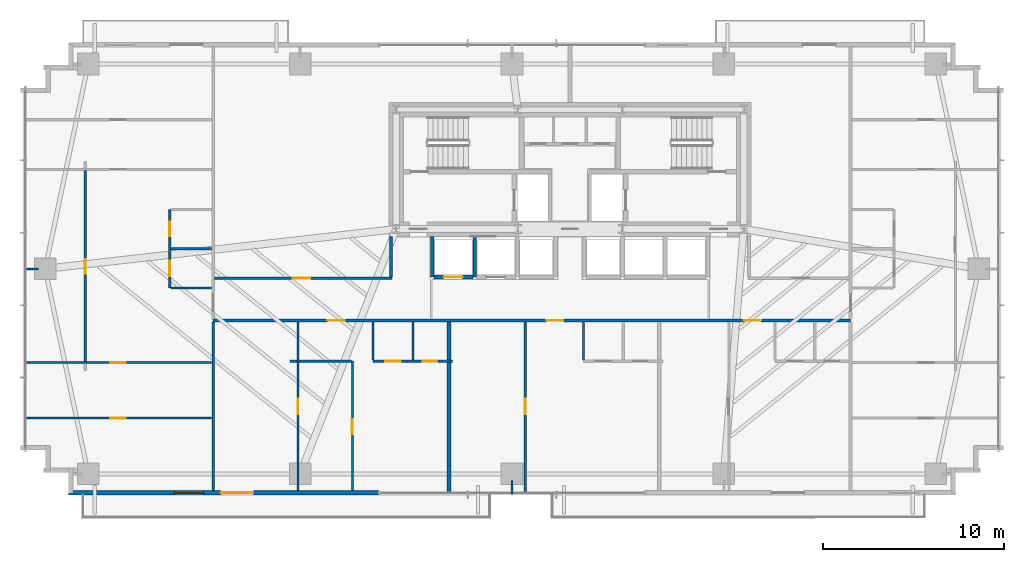
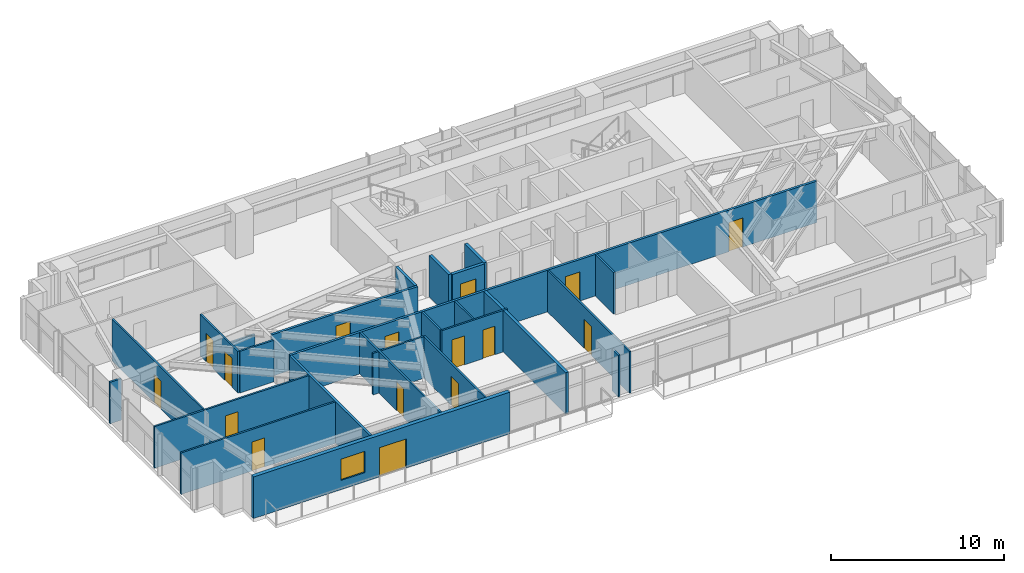
# One storey, part 19 of 25: 27 walls, 16 doors, 1 window, 17 openings.
"""IFC4 building model written with IfcOpenShell, lengths in metres."""

from ifc_helpers import new_model, si_unit, direction, frame, frame_2d, origin, place, context, subcontext, project, spatial, rectangle, extrude, source, transform, mapped, material, layer, layer_set, type_object, type_shapes, element, fill, save


model = new_model("IFC4")

# Units and contexts
model_context = context("Model", 3, precision=1e-05, world=origin(), true_north=direction((0.0, 1.0)))
body_context = subcontext(model_context, "Body", "Model", "MODEL_VIEW")
ifc_project = project(units=[si_unit("LENGTHUNIT", "METRE"), si_unit("AREAUNIT", "SQUARE_METRE"), si_unit("VOLUMEUNIT", "CUBIC_METRE"), si_unit("PLANEANGLEUNIT", "RADIAN"), si_unit("MASSUNIT", "GRAM", prefix="KILO")], contexts=[model_context])

# Site, building, storey
site_placement = place(None, origin())
site = spatial("IfcSite", under=ifc_project, at=site_placement, CompositionType="ELEMENT")
building_placement = place(site_placement, origin())
building = spatial("IfcBuilding", under=site, at=building_placement, Name="Astriad Promenade Condominiums", CompositionType="ELEMENT")
storey_placement = place(building_placement, frame((0.0, 0.0, 55.0)))
storey = spatial("IfcBuildingStorey", under=building, at=storey_placement, Name="L15", CompositionType="ELEMENT", Elevation=55.0)

# Wall, openings, doors
ifc_material_1 = material(Name="Fire-Rated Gypsum Partition")
ifc_layer_1 = layer(ifc_material_1, 0.159912109375)
ifc_layer_set_1 = layer_set([ifc_layer_1], Name="Fire-Rated Gypsum Partition")
wall_type_1 = type_object("IfcWallType", Name="WALL-CORR-160", PredefinedType="PARTITIONING", material=ifc_layer_set_1)
wall_1_placement = place(storey_placement, frame((16.300048828125, 12.35009765625, 0.0), z_axis=(0.0, 0.0, 1.0), x_axis=(1.0, 0.0, 0.0)))
wall_1 = element("IfcWall", 1, at=wall_1_placement, inside=storey, type_object=wall_type_1, Name="PT-COR-S-L15", PredefinedType="PARTITIONING", context=body_context, shape_type="SweptSolid", body=[
    extrude(rectangle(XDim=35.199951171875, YDim=0.159912109375, at=frame_2d((17.60009765625, 0.0))), origin(), (0.0, 0.0, 1.0), 2.93994140625),
])
opening_1_placement = place(wall_1_placement, frame((6.306884765625, 0.0, 0.0)))
opening_1 = element("IfcOpeningElement", 2, at=opening_1_placement, cuts=wall_1, Name="Opening FD60-APT-095", PredefinedType="OPENING", context=body_context, shape_type="SweptSolid", body=[
    extrude(rectangle(XDim=0.949951171875, YDim=2.06005859375, at=frame_2d((0.47509765625, 1.030029296875))), frame((0.0, 0.08984375, 0.0), z_axis=(0.0, -1.0, 0.0), x_axis=(1.0, 0.0, 0.0)), (0.0, 0.0, 1.0), 0.179931640625),
])
opening_2_placement = place(wall_1_placement, frame((18.39208984375, 0.0, 0.0)))
opening_2 = element("IfcOpeningElement", 3, at=opening_2_placement, cuts=wall_1, Name="Opening FD60-APT-095", PredefinedType="OPENING", context=body_context, shape_type="SweptSolid", body=[
    extrude(rectangle(XDim=0.949951171875, YDim=2.06005859375, at=frame_2d((0.47509765625, 1.030029296875))), frame((0.0, 0.08984375, 0.0), z_axis=(0.0, -1.0, 0.0), x_axis=(1.0, 0.0, 0.0)), (0.0, 0.0, 1.0), 0.179931640625),
])
opening_3_placement = place(wall_1_placement, frame((29.303955078125, 0.0, 0.0)))
opening_3 = element("IfcOpeningElement", 4, at=opening_3_placement, cuts=wall_1, Name="Opening FD60-APT-095", PredefinedType="OPENING", context=body_context, shape_type="SweptSolid", body=[
    extrude(rectangle(XDim=0.949951171875, YDim=2.06005859375, at=frame_2d((0.47509765625, 1.030029296875))), frame((0.0, 0.08984375, 0.0), z_axis=(0.0, -1.0, 0.0), x_axis=(1.0, 0.0, 0.0)), (0.0, 0.0, 1.0), 0.179931640625),
])
ifc_material_2 = material(Name="Solid-Core Acoustic Timber Residence Entry Door", Category="wood")
door_type_1 = type_object("IfcDoorType", Name="FD60-APT-095", OperationType="NOTDEFINED", PredefinedType="DOOR", material=ifc_material_2)
shared_shape_1 = source(origin(), body_context, "Body", "SweptSolid", [
    extrude(rectangle(XDim=0.949951171875, YDim=2.06005859375, at=frame_2d((0.47509765625, 1.030029296875))), frame((0.0, 0.02490234375, 0.0), z_axis=(0.0, -1.0, 0.0), x_axis=(1.0, 0.0, 0.0)), (0.0, 0.0, 1.0), 0.050048828125),
])
type_shapes(door_type_1, [shared_shape_1])
door_1_placement = place(opening_1_placement, origin())
door_1 = element("IfcDoor", 5, at=door_1_placement, inside=storey, type_object=door_type_1, Name="D-ENT-L15-S1", OperationType="SINGLE_SWING_RIGHT", OverallHeight=2.06005859375, OverallWidth=0.949951171875, PredefinedType="DOOR", context=body_context, shape_type="MappedRepresentation", body=[
    mapped(shared_shape_1, transform((0.0, 0.0, 0.0), scale=1.0)),
])
fill(opening_1, door_1)
door_2_placement = place(opening_2_placement, origin())
door_2 = element("IfcDoor", 6, at=door_2_placement, inside=storey, type_object=door_type_1, Name="D-ENT-L15-S2", OperationType="SINGLE_SWING_RIGHT", OverallHeight=2.06005859375, OverallWidth=0.949951171875, PredefinedType="DOOR", context=body_context, shape_type="MappedRepresentation", body=[
    mapped(shared_shape_1, transform((0.0, 0.0, 0.0), scale=1.0)),
])
fill(opening_2, door_2)
door_3_placement = place(opening_3_placement, origin())
door_3 = element("IfcDoor", 7, at=door_3_placement, inside=storey, type_object=door_type_1, Name="D-ENT-L15-S3", OperationType="SINGLE_SWING_RIGHT", OverallHeight=2.06005859375, OverallWidth=0.949951171875, PredefinedType="DOOR", context=body_context, shape_type="MappedRepresentation", body=[
    mapped(shared_shape_1, transform((0.0, 0.0, 0.0), scale=1.0)),
])
fill(opening_3, door_3)

# Wall
wall_2_placement = place(storey_placement, frame((16.300048828125, 2.9619140625, 0.0), z_axis=(0.0, 0.0, 1.0), x_axis=(0.0, 1.0, 0.0)))
element("IfcWall", 8, at=wall_2_placement, inside=storey, type_object=wall_type_1, Name="PT-COR-W-L15", PredefinedType="PARTITIONING", context=body_context, shape_type="SweptSolid", body=[
    extrude(rectangle(XDim=9.30615234375, YDim=0.159912109375, at=frame_2d((4.653076171875, 0.0))), origin(), (0.0, 0.0, 1.0), 2.93994140625),
])

# Wall, opening, door
wall_3_placement = place(storey_placement, frame((16.382080078125, 14.679931640625, 0.0), z_axis=(0.0, 0.0, 1.0), x_axis=(1.0, 0.0, 0.0)))
wall_3 = element("IfcWall", 9, at=wall_3_placement, inside=storey, type_object=wall_type_1, Name="PT-FLK-NW-L15", PredefinedType="PARTITIONING", context=body_context, shape_type="SweptSolid", body=[
    extrude(rectangle(XDim=9.77783203125, YDim=0.159912109375, at=frame_2d((4.888916015625, 0.0))), origin(), (0.0, 0.0, 1.0), 2.93994140625),
])
opening_4_placement = place(wall_3_placement, frame((4.31298828125, 0.0, 0.0)))
opening_4 = element("IfcOpeningElement", 10, at=opening_4_placement, cuts=wall_3, Name="Opening FD60-APT-095", PredefinedType="OPENING", context=body_context, shape_type="SweptSolid", body=[
    extrude(rectangle(XDim=0.949951171875, YDim=2.06005859375, at=frame_2d((0.47509765625, 1.030029296875))), frame((0.0, 0.08984375, 0.0), z_axis=(0.0, -1.0, 0.0), x_axis=(1.0, 0.0, 0.0)), (0.0, 0.0, 1.0), 0.179931640625),
])
door_4_placement = place(opening_4_placement, origin())
door_4 = element("IfcDoor", 11, at=door_4_placement, inside=storey, type_object=door_type_1, Name="D-NWA-L15", OperationType="SINGLE_SWING_LEFT", OverallHeight=2.06005859375, OverallWidth=0.949951171875, PredefinedType="DOOR", context=body_context, shape_type="MappedRepresentation", body=[
    mapped(shared_shape_1, transform((0.0, 0.0, 0.0), scale=1.0)),
])
fill(opening_4, door_4)

# Walls
wall_4_placement = place(storey_placement, frame((26.1201171875, 14.761962890625, 0.0), z_axis=(0.0, 0.0, 1.0), x_axis=(0.0, 1.0, 0.0)))
element("IfcWall", 12, at=wall_4_placement, inside=storey, type_object=wall_type_1, Name="PT-WSPUR-W-L15", PredefinedType="PARTITIONING", context=body_context, shape_type="SweptSolid", body=[
    extrude(rectangle(XDim=2.236083984375, YDim=0.159912109375, at=frame_2d((1.1181640625, 0.0))), origin(), (0.0, 0.0, 1.0), 2.93994140625),
])
ifc_material_3 = material(Name="Acoustic Double-Stud Gypsum Partition")
ifc_layer_2 = layer(ifc_material_3, 0.199951171875)
ifc_layer_set_2 = layer_set([ifc_layer_2], Name="Acoustic Double-Stud Gypsum Partition")
wall_type_2 = type_object("IfcWallType", Name="WALL-DEMISING-200", PredefinedType="PARTITIONING", material=ifc_layer_set_2)
wall_5_placement = place(storey_placement, frame((29.323974609375, 2.780029296875, 0.0), z_axis=(0.0, 0.0, 1.0), x_axis=(0.0, 1.0, 0.0)))
element("IfcWall", 13, at=wall_5_placement, inside=storey, type_object=wall_type_2, Name="PT-DEM-S1-L15", PredefinedType="PARTITIONING", context=body_context, shape_type="SweptSolid", body=[
    extrude(rectangle(XDim=7.258056640625, YDim=0.199951171875, at=frame_2d((3.62890625, 0.0))), origin(), (0.0, 0.0, 1.0), 2.93994140625),
])
wall_6_placement = place(storey_placement, frame((29.323974609375, 10.162109375, 0.0), z_axis=(0.0, 0.0, 1.0), x_axis=(0.0, 1.0, 0.0)))
element("IfcWall", 14, at=wall_6_placement, inside=storey, type_object=wall_type_2, Name="PT-DEM-S1-L15-S2", PredefinedType="PARTITIONING", context=body_context, shape_type="SweptSolid", body=[
    extrude(rectangle(XDim=2.10595703125, YDim=0.199951171875, at=frame_2d((1.052978515625, 0.0))), origin(), (0.0, 0.0, 1.0), 2.93994140625),
])

# Wall, openings, door, window
ifc_material_4 = material(Name="Precast concrete C50/60", Category="concrete")
ifc_layer_3 = layer(ifc_material_4, 0.260009765625)
ifc_layer_set_3 = layer_set([ifc_layer_3], Name="Precast concrete C50/60")
wall_type_3 = type_object("IfcWallType", Name="WALL-EXT-TWR-260", PredefinedType="STANDARD", material=ifc_layer_set_3)
wall_7_placement = place(storey_placement, frame((25.449951171875, 2.830078125, 0.0), z_axis=(0.0, 0.0, 1.0), x_axis=(-1.0, 0.0, 0.0)))
wall_7 = element("IfcWall", 15, at=wall_7_placement, inside=storey, type_object=wall_type_3, Name="W-EXT-L15-S2", PredefinedType="STANDARD", context=body_context, shape_type="SweptSolid", body=[
    extrude(rectangle(XDim=17.14990234375, YDim=0.260009765625, at=frame_2d((8.574951171875, 0.0))), origin(), (0.0, 0.0, 1.0), 2.93994140625),
])
opening_5_placement = place(wall_7_placement, frame((6.929931640625, 0.0, 0.0)))
opening_5 = element("IfcOpeningElement", 16, at=opening_5_placement, cuts=wall_7, Name="Opening BD-1822-SLD", PredefinedType="OPENING", context=body_context, shape_type="SweptSolid", body=[
    extrude(rectangle(XDim=1.800048828125, YDim=2.06005859375, at=frame_2d((0.89990234375, 1.030029296875))), frame((0.0, 0.139892578125, 0.0), z_axis=(0.0, -1.0, 0.0), x_axis=(1.0, 0.0, 0.0)), (0.0, 0.0, 1.0), 0.280029296875),
])
opening_6_placement = place(wall_7_placement, frame((9.699951171875, 0.0, 0.64990234375)))
opening_6 = element("IfcOpeningElement", 17, at=opening_6_placement, cuts=wall_7, Name="Opening WIN-TWR-1620", PredefinedType="OPENING", context=body_context, shape_type="SweptSolid", body=[
    extrude(rectangle(XDim=1.60009765625, YDim=1.5, at=frame_2d((0.800048828125, 0.75))), frame((0.0, 0.139892578125, 0.0), z_axis=(0.0, -1.0, 0.0), x_axis=(1.0, 0.0, 0.0)), (0.0, 0.0, 1.0), 0.280029296875),
])
ifc_material_5 = material(Name="Thermally Broken Aluminium Sliding Balcony Door", Category="aluminium")
door_type_2 = type_object("IfcDoorType", Name="BD-1822-SLD", OperationType="NOTDEFINED", PredefinedType="DOOR", material=ifc_material_5)
shared_shape_2 = source(origin(), body_context, "Body", "SweptSolid", [
    extrude(rectangle(XDim=1.800048828125, YDim=2.06005859375, at=frame_2d((0.89990234375, 1.030029296875))), frame((0.0, 0.02490234375, 0.0), z_axis=(0.0, -1.0, 0.0), x_axis=(1.0, 0.0, 0.0)), (0.0, 0.0, 1.0), 0.050048828125),
])
type_shapes(door_type_2, [shared_shape_2])
door_5_placement = place(opening_5_placement, origin())
door_5 = element("IfcDoor", 18, at=door_5_placement, inside=storey, type_object=door_type_2, Name="BD-L15-SW", OperationType="SLIDING_TO_LEFT", OverallHeight=2.06005859375, OverallWidth=1.800048828125, PredefinedType="DOOR", context=body_context, shape_type="MappedRepresentation", body=[
    mapped(shared_shape_2, transform((0.0, 0.0, 0.0), scale=1.0)),
])
fill(opening_5, door_5)
ifc_material_6 = material(Name="Dark Tinted Triple-Glazed Aluminium Window", Category="aluminium")
window_type = type_object("IfcWindowType", Name="WIN-TWR-1620", PartitioningType="SINGLE_PANEL", PredefinedType="WINDOW", material=ifc_material_6)
shared_shape_3 = source(origin(), body_context, "Body", "SweptSolid", [
    extrude(rectangle(XDim=1.60009765625, YDim=1.5, at=frame_2d((0.800048828125, 0.75))), frame((0.0, 0.030029296875, 0.0), z_axis=(0.0, -1.0, 0.0), x_axis=(1.0, 0.0, 0.0)), (0.0, 0.0, 1.0), 0.06005859375),
])
type_shapes(window_type, [shared_shape_3])
window_placement = place(opening_6_placement, origin())
window = element("IfcWindow", 19, at=window_placement, inside=storey, type_object=window_type, Name="WIN-L15-SW", OverallHeight=1.5, OverallWidth=1.60009765625, PartitioningType="SINGLE_PANEL", PredefinedType="WINDOW", context=body_context, shape_type="MappedRepresentation", body=[
    mapped(shared_shape_3, transform((0.0, 0.0, 0.0), scale=1.0)),
])
fill(opening_6, window)

# Wall, openings, doors
ifc_material_7 = material(Name="Acoustic Metal-Stud Gypsum Partition")
ifc_layer_4 = layer(ifc_material_7, 0.1201171875)
ifc_layer_set_4 = layer_set([ifc_layer_4], Name="Acoustic Metal-Stud Gypsum Partition")
wall_type_4 = type_object("IfcWallType", Name="WALL-PART-120", PredefinedType="PARTITIONING", material=ifc_layer_set_4)
wall_8_placement = place(storey_placement, frame((25.1240234375, 10.10009765625, 0.0), z_axis=(0.0, 0.0, 1.0), x_axis=(1.0, 0.0, 0.0)))
wall_8 = element("IfcWall", 20, at=wall_8_placement, inside=storey, type_object=wall_type_4, Name="PT-L15-S1-PS", PredefinedType="PARTITIONING", context=body_context, shape_type="SweptSolid", body=[
    extrude(rectangle(XDim=4.39990234375, YDim=0.1201171875, at=frame_2d((2.199951171875, 0.0))), origin(), (0.0, 0.0, 1.0), 2.93994140625),
])
opening_7_placement = place(wall_8_placement, frame((0.675048828125, 0.0, 0.0)))
opening_7 = element("IfcOpeningElement", 21, at=opening_7_placement, cuts=wall_8, Name="Opening D-INT-085", PredefinedType="OPENING", context=body_context, shape_type="SweptSolid", body=[
    extrude(rectangle(XDim=0.85009765625, YDim=2.050048828125, at=frame_2d((0.425048828125, 1.02490234375))), frame((0.0, 0.070068359375, 0.0), z_axis=(0.0, -1.0, 0.0), x_axis=(1.0, 0.0, 0.0)), (0.0, 0.0, 1.0), 0.14013671875),
])
opening_8_placement = place(wall_8_placement, frame((2.75, 0.0, 0.0)))
opening_8 = element("IfcOpeningElement", 22, at=opening_8_placement, cuts=wall_8, Name="Opening D-WET-080", PredefinedType="OPENING", context=body_context, shape_type="SweptSolid", body=[
    extrude(rectangle(XDim=0.800048828125, YDim=2.02001953125, at=frame_2d((0.39990234375, 1.010009765625))), frame((0.0, 0.070068359375, 0.0), z_axis=(0.0, -1.0, 0.0), x_axis=(1.0, 0.0, 0.0)), (0.0, 0.0, 1.0), 0.14013671875),
])
ifc_material_8 = material(Name="Moisture-Resistant Timber Bathroom Door", Category="wood")
door_type_3 = type_object("IfcDoorType", Name="D-WET-080", OperationType="NOTDEFINED", PredefinedType="DOOR", material=ifc_material_8)
shared_shape_4 = source(origin(), body_context, "Body", "SweptSolid", [
    extrude(rectangle(XDim=0.800048828125, YDim=2.02001953125, at=frame_2d((0.39990234375, 1.010009765625))), frame((0.0, 0.02490234375, 0.0), z_axis=(0.0, -1.0, 0.0), x_axis=(1.0, 0.0, 0.0)), (0.0, 0.0, 1.0), 0.050048828125),
])
type_shapes(door_type_3, [shared_shape_4])
door_6_placement = place(opening_8_placement, origin())
door_6 = element("IfcDoor", 23, at=door_6_placement, inside=storey, type_object=door_type_3, Name="D-BTH-L15-S1", OperationType="SINGLE_SWING_RIGHT", OverallHeight=2.02001953125, OverallWidth=0.800048828125, PredefinedType="DOOR", context=body_context, shape_type="MappedRepresentation", body=[
    mapped(shared_shape_4, transform((0.0, 0.0, 0.0), scale=1.0)),
])
fill(opening_8, door_6)
ifc_material_9 = material(Name="Painted Solid-Core Timber Room Door", Category="wood")
door_type_4 = type_object("IfcDoorType", Name="D-INT-085", OperationType="NOTDEFINED", PredefinedType="DOOR", material=ifc_material_9)
shared_shape_5 = source(origin(), body_context, "Body", "SweptSolid", [
    extrude(rectangle(XDim=0.85009765625, YDim=2.050048828125, at=frame_2d((0.425048828125, 1.02490234375))), frame((0.0, 0.02490234375, 0.0), z_axis=(0.0, -1.0, 0.0), x_axis=(1.0, 0.0, 0.0)), (0.0, 0.0, 1.0), 0.050048828125),
])
type_shapes(door_type_4, [shared_shape_5])
door_7_placement = place(opening_7_placement, origin())
door_7 = element("IfcDoor", 24, at=door_7_placement, inside=storey, type_object=door_type_4, Name="D-KIT-L15-S1", OperationType="SINGLE_SWING_LEFT", OverallHeight=2.050048828125, OverallWidth=0.85009765625, PredefinedType="DOOR", context=body_context, shape_type="MappedRepresentation", body=[
    mapped(shared_shape_5, transform((0.0, 0.0, 0.0), scale=1.0)),
])
fill(opening_7, door_7)

# Walls
for number, where, z_axis, x_axis, name in (
    (25, (25.1240234375, 10.162109375, 0.0), (0.0, 0.0, 1.0), (0.0, 1.0, 0.0), "PT-L15-S1-PK"),
    (26, (27.323974609375, 10.162109375, 0.0), (0.0, 0.0, 1.0), (0.0, 1.0, 0.0), "PT-L15-S1-PB"),
):
    element("IfcWall", number, at=place(storey_placement, frame(where, z_axis=z_axis, x_axis=x_axis)), inside=storey, type_object=wall_type_4, Name=name, PredefinedType="PARTITIONING", context=body_context, shape_type="SweptSolid", body=[
        extrude(rectangle(XDim=2.10595703125, YDim=0.1201171875, at=frame_2d((1.052978515625, 0.0))), origin(), (0.0, 0.0, 1.0), 2.93994140625),
    ])

# Wall, opening, door
wall_9_placement = place(storey_placement, frame((20.97998046875, 2.9619140625, 0.0), z_axis=(0.0, 0.0, 1.0), x_axis=(0.0, 1.0, 0.0)))
wall_9 = element("IfcWall", 27, at=wall_9_placement, inside=storey, type_object=wall_type_4, Name="PT-L15-S1-CAP1", PredefinedType="PARTITIONING", context=body_context, shape_type="SweptSolid", body=[
    extrude(rectangle(XDim=9.30615234375, YDim=0.1201171875, at=frame_2d((4.653076171875, 0.0))), origin(), (0.0, 0.0, 1.0), 2.93994140625),
])
opening_9_placement = place(wall_9_placement, frame((4.218017578125, 0.0, 0.0)))
opening_9 = element("IfcOpeningElement", 28, at=opening_9_placement, cuts=wall_9, Name="Opening D-INT-085", PredefinedType="OPENING", context=body_context, shape_type="SweptSolid", body=[
    extrude(rectangle(XDim=0.85009765625, YDim=2.050048828125, at=frame_2d((0.425048828125, 1.02490234375))), frame((0.0, 0.070068359375, 0.0), z_axis=(0.0, -1.0, 0.0), x_axis=(1.0, 0.0, 0.0)), (0.0, 0.0, 1.0), 0.14013671875),
])
door_8_placement = place(opening_9_placement, origin())
door_8 = element("IfcDoor", 29, at=door_8_placement, inside=storey, type_object=door_type_4, Name="D-CAP1-L15-S1", OperationType="SINGLE_SWING_RIGHT", OverallHeight=2.050048828125, OverallWidth=0.85009765625, PredefinedType="DOOR", context=body_context, shape_type="MappedRepresentation", body=[
    mapped(shared_shape_5, transform((0.0, 0.0, 0.0), scale=1.0)),
])
fill(opening_9, door_8)

wall_10_placement = place(storey_placement, frame((23.986083984375, 2.9619140625, 0.0), z_axis=(0.0, 0.0, 1.0), x_axis=(0.0, 1.0, 0.0)))
wall_10 = element("IfcWall", 30, at=wall_10_placement, inside=storey, type_object=wall_type_4, Name="PT-L15-S1-CAP2", PredefinedType="PARTITIONING", context=body_context, shape_type="SweptSolid", body=[
    extrude(rectangle(XDim=7.13818359375, YDim=0.1201171875, at=frame_2d((3.569091796875, 0.0))), origin(), (0.0, 0.0, 1.0), 2.93994140625),
])
opening_10_placement = place(wall_10_placement, frame((3.093017578125, 0.0, 0.0)))
opening_10 = element("IfcOpeningElement", 31, at=opening_10_placement, cuts=wall_10, Name="Opening D-INT-085", PredefinedType="OPENING", context=body_context, shape_type="SweptSolid", body=[
    extrude(rectangle(XDim=0.85009765625, YDim=2.050048828125, at=frame_2d((0.425048828125, 1.02490234375))), frame((0.0, 0.070068359375, 0.0), z_axis=(0.0, -1.0, 0.0), x_axis=(1.0, 0.0, 0.0)), (0.0, 0.0, 1.0), 0.14013671875),
])
door_9_placement = place(opening_10_placement, origin())
door_9 = element("IfcDoor", 32, at=door_9_placement, inside=storey, type_object=door_type_4, Name="D-CAP2-L15-S1", OperationType="SINGLE_SWING_LEFT", OverallHeight=2.050048828125, OverallWidth=0.85009765625, PredefinedType="DOOR", context=body_context, shape_type="MappedRepresentation", body=[
    mapped(shared_shape_5, transform((0.0, 0.0, 0.0), scale=1.0)),
])
fill(opening_10, door_9)

# Walls
wall_11_placement = place(storey_placement, frame((20.5400390625, 10.10009765625, 0.0), z_axis=(0.0, 0.0, 1.0), x_axis=(1.0, 0.0, 0.0)))
element("IfcWall", 33, at=wall_11_placement, inside=storey, type_object=wall_type_4, Name="PT-L15-S1-CAP2H", PredefinedType="PARTITIONING", context=body_context, shape_type="SweptSolid", body=[
    extrude(rectangle(XDim=0.3779296875, YDim=0.1201171875, at=frame_2d((0.18896484375, 0.0))), origin(), (0.0, 0.0, 1.0), 2.93994140625),
])
wall_12_placement = place(storey_placement, frame((21.0419921875, 10.10009765625, 0.0), z_axis=(0.0, 0.0, 1.0), x_axis=(1.0, 0.0, 0.0)))
element("IfcWall", 34, at=wall_12_placement, inside=storey, type_object=wall_type_4, Name="PT-L15-S1-CAP2H-S2", PredefinedType="PARTITIONING", context=body_context, shape_type="SweptSolid", body=[
    extrude(rectangle(XDim=2.882080078125, YDim=0.1201171875, at=frame_2d((1.44091796875, 0.0))), origin(), (0.0, 0.0, 1.0), 2.93994140625),
])
wall_13_placement = place(storey_placement, frame((36.739990234375, 10.162109375, 0.0), z_axis=(0.0, 0.0, 1.0), x_axis=(0.0, 1.0, 0.0)))
element("IfcWall", 35, at=wall_13_placement, inside=storey, type_object=wall_type_4, Name="PT-L15-S2-PK", PredefinedType="PARTITIONING", context=body_context, shape_type="SweptSolid", body=[
    extrude(rectangle(XDim=2.10595703125, YDim=0.1201171875, at=frame_2d((1.052978515625, 0.0))), origin(), (0.0, 0.0, 1.0), 2.93994140625),
])

# Wall, opening, door
wall_14_placement = place(storey_placement, frame((33.533935546875, 2.780029296875, 0.0), z_axis=(0.0, 0.0, 1.0), x_axis=(0.0, 1.0, 0.0)))
wall_14 = element("IfcWall", 36, at=wall_14_placement, inside=storey, type_object=wall_type_4, Name="PT-L15-S2-CAP1", PredefinedType="PARTITIONING", context=body_context, shape_type="SweptSolid", body=[
    extrude(rectangle(XDim=9.488037109375, YDim=0.1201171875, at=frame_2d((4.744140625, 0.0))), origin(), (0.0, 0.0, 1.0), 2.93994140625),
])
opening_11_placement = place(wall_14_placement, frame((4.39990234375, 0.0, 0.0)))
opening_11 = element("IfcOpeningElement", 37, at=opening_11_placement, cuts=wall_14, Name="Opening D-INT-085", PredefinedType="OPENING", context=body_context, shape_type="SweptSolid", body=[
    extrude(rectangle(XDim=0.85009765625, YDim=2.050048828125, at=frame_2d((0.425048828125, 1.02490234375))), frame((0.0, 0.070068359375, 0.0), z_axis=(0.0, -1.0, 0.0), x_axis=(1.0, 0.0, 0.0)), (0.0, 0.0, 1.0), 0.14013671875),
])
door_10_placement = place(opening_11_placement, origin())
door_10 = element("IfcDoor", 38, at=door_10_placement, inside=storey, type_object=door_type_4, Name="D-CAP1-L15-S2", OperationType="SINGLE_SWING_LEFT", OverallHeight=2.050048828125, OverallWidth=0.85009765625, PredefinedType="DOOR", context=body_context, shape_type="MappedRepresentation", body=[
    mapped(shared_shape_5, transform((0.0, 0.0, 0.0), scale=1.0)),
])
fill(opening_11, door_10)

# Wall, openings, doors
wall_15_placement = place(storey_placement, frame((13.89990234375, 14.135986328125, 0.0), z_axis=(0.0, 0.0, 1.0), x_axis=(0.0, 1.0, 0.0)))
wall_15 = element("IfcWall", 39, at=wall_15_placement, inside=storey, type_object=wall_type_4, Name="PT-L15-W1-PV", PredefinedType="PARTITIONING", context=body_context, shape_type="SweptSolid", body=[
    extrude(rectangle(XDim=4.35009765625, YDim=0.1201171875, at=frame_2d((2.175048828125, 0.0))), origin(), (0.0, 0.0, 1.0), 2.93994140625),
])
opening_12_placement = place(wall_15_placement, frame((0.662109375, 0.0, 0.0)))
opening_12 = element("IfcOpeningElement", 40, at=opening_12_placement, cuts=wall_15, Name="Opening D-INT-085", PredefinedType="OPENING", context=body_context, shape_type="SweptSolid", body=[
    extrude(rectangle(XDim=0.85009765625, YDim=2.050048828125, at=frame_2d((0.425048828125, 1.02490234375))), frame((0.0, 0.070068359375, 0.0), z_axis=(0.0, -1.0, 0.0), x_axis=(1.0, 0.0, 0.0)), (0.0, 0.0, 1.0), 0.14013671875),
])
opening_13_placement = place(wall_15_placement, frame((2.862060546875, 0.0, 0.0)))
opening_13 = element("IfcOpeningElement", 41, at=opening_13_placement, cuts=wall_15, Name="Opening D-WET-080", PredefinedType="OPENING", context=body_context, shape_type="SweptSolid", body=[
    extrude(rectangle(XDim=0.800048828125, YDim=2.02001953125, at=frame_2d((0.39990234375, 1.010009765625))), frame((0.0, 0.070068359375, 0.0), z_axis=(0.0, -1.0, 0.0), x_axis=(1.0, 0.0, 0.0)), (0.0, 0.0, 1.0), 0.14013671875),
])
door_11_placement = place(opening_13_placement, origin())
door_11 = element("IfcDoor", 42, at=door_11_placement, inside=storey, type_object=door_type_3, Name="D-BTH-L15-W1", OperationType="SINGLE_SWING_LEFT", OverallHeight=2.02001953125, OverallWidth=0.800048828125, PredefinedType="DOOR", context=body_context, shape_type="MappedRepresentation", body=[
    mapped(shared_shape_4, transform((0.0, 0.0, 0.0), scale=1.0)),
])
fill(opening_13, door_11)
door_12_placement = place(opening_12_placement, origin())
door_12 = element("IfcDoor", 43, at=door_12_placement, inside=storey, type_object=door_type_4, Name="D-KIT-L15-W1", OperationType="SINGLE_SWING_RIGHT", OverallHeight=2.050048828125, OverallWidth=0.85009765625, PredefinedType="DOOR", context=body_context, shape_type="MappedRepresentation", body=[
    mapped(shared_shape_5, transform((0.0, 0.0, 0.0), scale=1.0)),
])
fill(opening_12, door_12)

# Walls
wall_16_placement = place(storey_placement, frame((13.9619140625, 16.31103515625, 0.0), z_axis=(0.0, 0.0, 1.0), x_axis=(1.0, 0.0, 0.0)))
element("IfcWall", 44, at=wall_16_placement, inside=storey, type_object=wall_type_4, Name="PT-L15-W1-PM", PredefinedType="PARTITIONING", context=body_context, shape_type="SweptSolid", body=[
    extrude(rectangle(XDim=2.256103515625, YDim=0.1201171875, at=frame_2d((1.1279296875, 0.0))), origin(), (0.0, 0.0, 1.0), 2.044921875),
])
wall_17_placement = place(storey_placement, frame((13.9619140625, 14.135986328125, 0.0), z_axis=(0.0, 0.0, 1.0), x_axis=(1.0, 0.0, 0.0)))
element("IfcWall", 45, at=wall_17_placement, inside=storey, type_object=wall_type_4, Name="PT-L15-W1-PS", PredefinedType="PARTITIONING", context=body_context, shape_type="SweptSolid", body=[
    extrude(rectangle(XDim=2.256103515625, YDim=0.1201171875, at=frame_2d((1.1279296875, 0.0))), origin(), (0.0, 0.0, 1.0), 2.93994140625),
])

# Wall, opening, door
wall_18_placement = place(storey_placement, frame((5.8798828125, 6.9599609375, 0.0), z_axis=(0.0, 0.0, 1.0), x_axis=(1.0, 0.0, 0.0)))
wall_18 = element("IfcWall", 46, at=wall_18_placement, inside=storey, type_object=wall_type_4, Name="PT-L15-W1-WDS1", PredefinedType="PARTITIONING", context=body_context, shape_type="SweptSolid", body=[
    extrude(rectangle(XDim=10.338134765625, YDim=0.1201171875, at=frame_2d((5.1689453125, 0.0))), origin(), (0.0, 0.0, 1.0), 2.93994140625),
])
opening_14_placement = place(wall_18_placement, frame((4.735107421875, 0.0, 0.0)))
opening_14 = element("IfcOpeningElement", 47, at=opening_14_placement, cuts=wall_18, Name="Opening D-INT-085", PredefinedType="OPENING", context=body_context, shape_type="SweptSolid", body=[
    extrude(rectangle(XDim=0.85009765625, YDim=2.050048828125, at=frame_2d((0.425048828125, 1.02490234375))), frame((0.0, 0.070068359375, 0.0), z_axis=(0.0, -1.0, 0.0), x_axis=(1.0, 0.0, 0.0)), (0.0, 0.0, 1.0), 0.14013671875),
])
door_13_placement = place(opening_14_placement, origin())
door_13 = element("IfcDoor", 48, at=door_13_placement, inside=storey, type_object=door_type_4, Name="D-WDS1-L15-W1", OperationType="SINGLE_SWING_RIGHT", OverallHeight=2.050048828125, OverallWidth=0.85009765625, PredefinedType="DOOR", context=body_context, shape_type="MappedRepresentation", body=[
    mapped(shared_shape_5, transform((0.0, 0.0, 0.0), scale=1.0)),
])
fill(opening_14, door_13)

wall_19_placement = place(storey_placement, frame((5.8798828125, 10.02587890625, 0.0), z_axis=(0.0, 0.0, 1.0), x_axis=(1.0, 0.0, 0.0)))
wall_19 = element("IfcWall", 49, at=wall_19_placement, inside=storey, type_object=wall_type_4, Name="PT-L15-W1-WDS3", PredefinedType="PARTITIONING", context=body_context, shape_type="SweptSolid", body=[
    extrude(rectangle(XDim=10.338134765625, YDim=0.1201171875, at=frame_2d((5.1689453125, 0.0))), origin(), (0.0, 0.0, 1.0), 2.93994140625),
])
opening_15_placement = place(wall_19_placement, frame((4.735107421875, 0.0, 0.0)))
opening_15 = element("IfcOpeningElement", 50, at=opening_15_placement, cuts=wall_19, Name="Opening D-INT-085", PredefinedType="OPENING", context=body_context, shape_type="SweptSolid", body=[
    extrude(rectangle(XDim=0.85009765625, YDim=2.050048828125, at=frame_2d((0.425048828125, 1.02490234375))), frame((0.0, 0.070068359375, 0.0), z_axis=(0.0, -1.0, 0.0), x_axis=(1.0, 0.0, 0.0)), (0.0, 0.0, 1.0), 0.14013671875),
])
door_14_placement = place(opening_15_placement, origin())
door_14 = element("IfcDoor", 51, at=door_14_placement, inside=storey, type_object=door_type_4, Name="D-WDS3-L15-W1", OperationType="SINGLE_SWING_RIGHT", OverallHeight=2.050048828125, OverallWidth=0.85009765625, PredefinedType="DOOR", context=body_context, shape_type="MappedRepresentation", body=[
    mapped(shared_shape_5, transform((0.0, 0.0, 0.0), scale=1.0)),
])
fill(opening_15, door_14)

wall_20_placement = place(storey_placement, frame((9.237060546875, 10.087890625, 0.0), z_axis=(0.0, 0.0, 1.0), x_axis=(0.0, 1.0, 0.0)))
wall_20 = element("IfcWall", 52, at=wall_20_placement, inside=storey, type_object=wall_type_4, Name="PT-L15-W1-WDV5-S2", PredefinedType="PARTITIONING", context=body_context, shape_type="SweptSolid", body=[
    extrude(rectangle(XDim=10.5380859375, YDim=0.1201171875, at=frame_2d((5.26904296875, 0.0))), origin(), (0.0, 0.0, 1.0), 2.93994140625),
])
opening_16_placement = place(wall_20_placement, frame((4.843994140625, 0.0, 0.0)))
opening_16 = element("IfcOpeningElement", 53, at=opening_16_placement, cuts=wall_20, Name="Opening D-ULOW-080", PredefinedType="OPENING", context=body_context, shape_type="SweptSolid", body=[
    extrude(rectangle(XDim=0.800048828125, YDim=2.0, at=frame_2d((0.39990234375, 1.0))), frame((0.0, 0.070068359375, 0.0), z_axis=(0.0, -1.0, 0.0), x_axis=(1.0, 0.0, 0.0)), (0.0, 0.0, 1.0), 0.14013671875),
])
ifc_material_10 = material(Name="Painted Timber Low-Headroom Door", Category="wood")
door_type_5 = type_object("IfcDoorType", Name="D-ULOW-080", OperationType="NOTDEFINED", PredefinedType="DOOR", material=ifc_material_10)
shared_shape_6 = source(origin(), body_context, "Body", "SweptSolid", [
    extrude(rectangle(XDim=0.800048828125, YDim=2.0, at=frame_2d((0.39990234375, 1.0))), frame((0.0, 0.02490234375, 0.0), z_axis=(0.0, -1.0, 0.0), x_axis=(1.0, 0.0, 0.0)), (0.0, 0.0, 1.0), 0.050048828125),
])
type_shapes(door_type_5, [shared_shape_6])
door_15_placement = place(opening_16_placement, origin())
door_15 = element("IfcDoor", 54, at=door_15_placement, inside=storey, type_object=door_type_5, Name="D-WDV5-L15-W1", OperationType="SINGLE_SWING_RIGHT", OverallHeight=2.0, OverallWidth=0.800048828125, PredefinedType="DOOR", context=body_context, shape_type="MappedRepresentation", body=[
    mapped(shared_shape_6, transform((0.0, 0.0, 0.0), scale=1.0)),
])
fill(opening_16, door_15)

# Walls
wall_21_placement = place(storey_placement, frame((32.800048828125, 3.5, 0.0), z_axis=(0.0, 0.0, 1.0), x_axis=(0.0, -1.0, 0.0)))
element("IfcWall", 55, at=wall_21_placement, inside=storey, type_object=wall_type_4, Name="PT-PIL-L15-PC03-10", PredefinedType="PARTITIONING", context=body_context, shape_type="SweptSolid", body=[
    extrude(rectangle(XDim=0.719970703125, YDim=0.1201171875, at=frame_2d((0.35986328125, 0.0))), origin(), (0.0, 0.0, 1.0), 2.93994140625),
])
wall_22_placement = place(storey_placement, frame((6.639892578125, 15.199951171875, 0.0), z_axis=(0.0, 0.0, 1.0), x_axis=(-1.0, 0.0, 0.0)))
element("IfcWall", 56, at=wall_22_placement, inside=storey, type_object=wall_type_4, Name="PT-PIL-L15-PC11-18", PredefinedType="PARTITIONING", context=body_context, shape_type="SweptSolid", body=[
    extrude(rectangle(XDim=0.760009765625, YDim=0.1201171875, at=frame_2d((0.3798828125, 0.0))), origin(), (0.0, 0.0, 1.0), 2.93994140625),
])
ifc_material_11 = material(Name="Gypsum Shaftliner Assembly")
ifc_layer_5 = layer(ifc_material_11, 0.199951171875)
ifc_layer_set_5 = layer_set([ifc_layer_5], Name="Gypsum Shaftliner Assembly")
wall_type_5 = type_object("IfcWallType", Name="WALL-SHAFT-200", PredefinedType="PARTITIONING", material=ifc_layer_set_5)
for number, where, z_axis, x_axis, name in (
    (57, (28.39990234375, 14.75, 0.0), (0.0, 0.0, 1.0), (0.0, 1.0, 0.0), "PL-W-OUT-L15"),
    (58, (30.75, 14.75, 0.0), (0.0, 0.0, 1.0), (0.0, 1.0, 0.0), "PL-L-DIV-L15"),
):
    element("IfcWall", number, at=place(storey_placement, frame(where, z_axis=z_axis, x_axis=x_axis)), inside=storey, type_object=wall_type_5, Name=name, PredefinedType="PARTITIONING", context=body_context, shape_type="SweptSolid", body=[
        extrude(rectangle(XDim=2.248046875, YDim=0.199951171875, at=frame_2d((1.1240234375, 0.0))), origin(), (0.0, 0.0, 1.0), 2.93994140625),
    ])

# Wall, opening, door
wall_23_placement = place(storey_placement, frame((28.501953125, 14.75, 0.0), z_axis=(0.0, 0.0, 1.0), x_axis=(1.0, 0.0, 0.0)))
wall_23 = element("IfcWall", 59, at=wall_23_placement, inside=storey, type_object=wall_type_5, Name="PL-L-FRT-L15", PredefinedType="PARTITIONING", context=body_context, shape_type="SweptSolid", body=[
    extrude(rectangle(XDim=2.14599609375, YDim=0.199951171875, at=frame_2d((1.072998046875, 0.0))), origin(), (0.0, 0.0, 1.0), 2.93994140625),
])
opening_17_placement = place(wall_23_placement, frame((0.52294921875, 0.0, 0.0)))
opening_17 = element("IfcOpeningElement", 60, at=opening_17_placement, cuts=wall_23, Name="Opening LD-PL-10522", PredefinedType="OPENING", context=body_context, shape_type="SweptSolid", body=[
    extrude(rectangle(XDim=1.050048828125, YDim=2.080078125, at=frame_2d((0.52490234375, 1.0400390625))), frame((0.0, 0.10986328125, 0.0), z_axis=(0.0, -1.0, 0.0), x_axis=(1.0, 0.0, 0.0)), (0.0, 0.0, 1.0), 0.219970703125),
])
ifc_material_12 = material(Name="Brushed Bronze Passenger Elevator Landing Door")
door_type_6 = type_object("IfcDoorType", Name="LD-PL-10522", OperationType="NOTDEFINED", PredefinedType="DOOR", material=ifc_material_12)
shared_shape_7 = source(origin(), body_context, "Body", "SweptSolid", [
    extrude(rectangle(XDim=1.050048828125, YDim=2.080078125, at=frame_2d((0.52490234375, 1.0400390625))), frame((0.0, 0.02490234375, 0.0), z_axis=(0.0, -1.0, 0.0), x_axis=(1.0, 0.0, 0.0)), (0.0, 0.0, 1.0), 0.050048828125),
])
type_shapes(door_type_6, [shared_shape_7])
door_16_placement = place(opening_17_placement, origin())
door_16 = element("IfcDoor", 61, at=door_16_placement, inside=storey, type_object=door_type_6, Name="Elevator Landing Door PL-L1 (L15)", OperationType="SLIDING_TO_LEFT", OverallHeight=2.080078125, OverallWidth=1.050048828125, PredefinedType="DOOR", context=body_context, shape_type="MappedRepresentation", body=[
    mapped(shared_shape_7, transform((0.0, 0.0, 0.0), scale=1.0)),
])
fill(opening_17, door_16)

save(model, "model.ifc")
